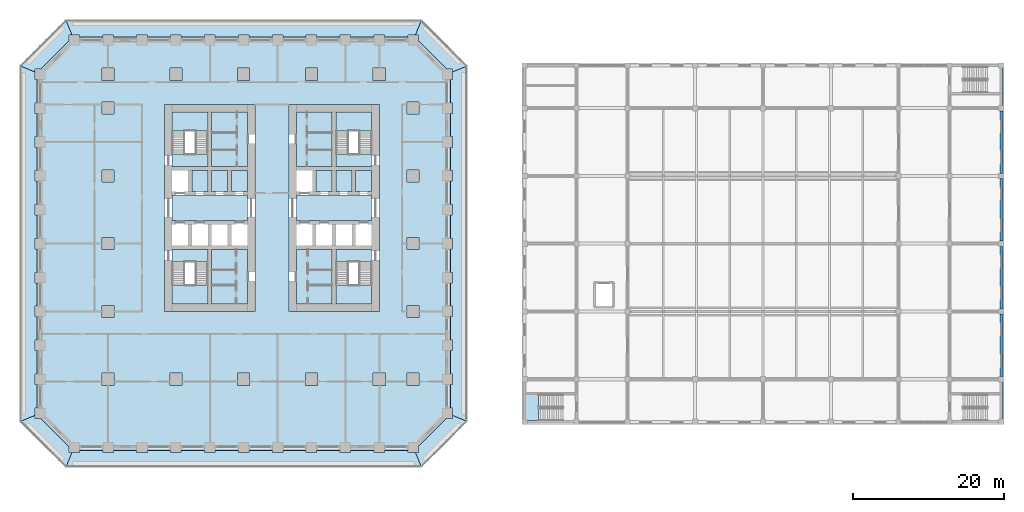
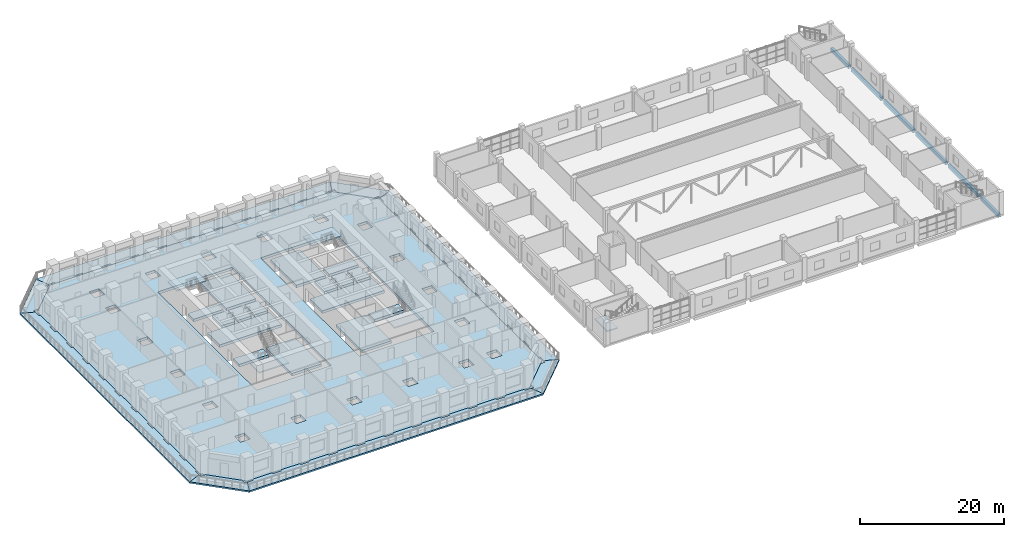
# One storey, part 23 of 42: 30 slabs, 6 beams, 5 elements without a shape of their own.
"""IFC4 building model written with IfcOpenShell, lengths in metres."""

from ifc_helpers import new_model, si_unit, direction, frame, origin, origin_2d, place, context, subcontext, project, spatial, polyline, rectangle, outline, extrude, material, layer, layer_set, material_profile, profile_set, type_object, element, aggregate, save


model = new_model("IFC4")

# Units and contexts
model_context = context("Model", 3, precision=1e-05, world=origin(), true_north=direction((0.0, 1.0)))
body_context = subcontext(model_context, "Body", "Model", "MODEL_VIEW")
ifc_project = project(units=[si_unit("LENGTHUNIT", "METRE"), si_unit("AREAUNIT", "SQUARE_METRE"), si_unit("VOLUMEUNIT", "CUBIC_METRE"), si_unit("PLANEANGLEUNIT", "RADIAN"), si_unit("MASSUNIT", "GRAM", prefix="KILO")], contexts=[model_context])

# Site, building, storey
site_placement = place(None, origin())
site = spatial("IfcSite", under=ifc_project, at=site_placement, CompositionType="ELEMENT")
building_placement = place(site_placement, origin())
building = spatial("IfcBuilding", under=site, at=building_placement, Name="Corbel Stack Research Tower", CompositionType="ELEMENT")
storey_placement = place(building_placement, frame((0.0, 0.0, 11.300048828125)))
storey = spatial("IfcBuildingStorey", under=building, at=storey_placement, Name="L02", CompositionType="ELEMENT", Elevation=11.300048828125)

# Beams
ifc_material_1 = material(Name="Concrete C40/50", Category="concrete")
ifc_material_profile = material_profile(ifc_material_1, rectangle(XDim=0.39990234375, YDim=0.60009765625, at=origin_2d()), Name="RC 400 x 600")
ifc_profile_set = profile_set([ifc_material_profile], Name="Concrete C40/50")
beam_type = type_object("IfcBeamType", Name="HB1 RC beam 400 x 600", PredefinedType="BEAM", material=ifc_profile_set)
beam_1_placement = place(storey_placement, frame((100.60009765625, -23.300048828125, -0.550048828125), z_axis=(0.0, 1.0, 0.0), x_axis=(-1.0, 0.0, 0.0)))
element("IfcBeam", 1, at=beam_1_placement, inside=storey, type_object=beam_type, Name="Floor beam L02 H9HA-H9HB", PredefinedType="BEAM", context=body_context, shape_type="SweptSolid", body=[
    extrude(rectangle(XDim=0.39990234375, YDim=0.60009765625, at=origin_2d()), origin(), (0.0, 0.0, 1.0), 4.949951171875),
])
for number, where, z_axis, x_axis, name in (
    (2, (100.60009765625, -17.64990234375, -0.550048828125), (0.0, 1.0, 0.0), (-1.0, 0.0, 0.0), "Floor beam L02 H9HB-H9HC"),
    (3, (100.60009765625, -8.64990234375, -0.550048828125), (0.0, 1.0, 0.0), (-1.0, 0.0, 0.0), "Floor beam L02 H9HC-H9HD"),
    (4, (100.60009765625, 0.35009765625, -0.550048828125), (0.0, 1.0, 0.0), (-1.0, 0.0, 0.0), "Floor beam L02 H9HD-H9HE"),
    (5, (100.60009765625, 9.35009765625, -0.550048828125), (0.0, 1.0, 0.0), (-1.0, 0.0, 0.0), "Floor beam L02 H9HE-H9HF"),
):
    element("IfcBeam", number, at=place(storey_placement, frame(where, z_axis=z_axis, x_axis=x_axis)), inside=storey, type_object=beam_type, Name=name, PredefinedType="BEAM", context=body_context, shape_type="SweptSolid", body=[
        extrude(rectangle(XDim=0.39990234375, YDim=0.60009765625, at=origin_2d()), origin(), (0.0, 0.0, 1.0), 8.2998046875),
    ])
beam_2_placement = place(storey_placement, frame((100.60009765625, 18.35009765625, -0.550048828125), z_axis=(0.0, 1.0, 0.0), x_axis=(-1.0, 0.0, 0.0)))
element("IfcBeam", 6, at=beam_2_placement, inside=storey, type_object=beam_type, Name="Floor beam L02 H9HF-H9HG", PredefinedType="BEAM", context=body_context, shape_type="SweptSolid", body=[
    extrude(rectangle(XDim=0.39990234375, YDim=0.60009765625, at=origin_2d()), origin(), (0.0, 0.0, 1.0), 4.949951171875),
])

# Stair, slab
ifc_material_2 = material(Name="Concrete C40/50", Category="concrete")
stair_type_1 = type_object("IfcStairType", Name="HST1 exit stair", PredefinedType="HALF_TURN_STAIR", material=ifc_material_2)
stair_1_placement = place(storey_placement, origin())
stair_1 = element("IfcStair", 7, at=stair_1_placement, inside=storey, type_object=stair_type_1, Name="L02 exit stair 1", PredefinedType="HALF_TURN_STAIR")
ifc_material_3 = material(Name="Concrete C40/50", Category="concrete")
ifc_layer_1 = layer(ifc_material_3, 0.199951171875)
ifc_layer_set_1 = layer_set([ifc_layer_1], Name="Concrete C40/50")
slab_type_1 = type_object("IfcSlabType", Name="HS4 stair landing 200", PredefinedType="LANDING", material=ifc_layer_set_1)
slab_1_placement = place(storey_placement, frame((0.0, 0.0, 1.849853515625)))
slab_1 = element("IfcSlab", 8, at=slab_1_placement, type_object=slab_type_1, Name="HS1 landing 1", PredefinedType="LANDING", context=body_context, shape_type="SweptSolid", body=[
    extrude(outline(polyline([(39.125, -20.050048828125), (37.449951171875, -20.050048828125), (37.449951171875, -23.5), (39.125, -23.5), (39.125, -20.050048828125)])), origin(), (0.0, 0.0, 1.0), 0.2001953125),
])
aggregate(stair_1, [slab_1])

# Slabs
ifc_material_4 = material(Name="Concrete C45/55", Category="concrete")
ifc_layer_2 = layer(ifc_material_4, 0.25)
ifc_layer_set_2 = layer_set([ifc_layer_2], Name="Concrete C45/55")
slab_type_2 = type_object("IfcSlabType", Name="PT balcony slab 250 C45/55", PredefinedType="FLOOR", material=ifc_layer_set_2)
slab_2_placement = place(storey_placement, frame((0.0, 0.0, -0.25)))
element("IfcSlab", 9, at=slab_2_placement, inside=storey, type_object=slab_type_2, Name="Loggia slab L02 S", PredefinedType="FLOOR", context=body_context, shape_type="SweptSolid", body=[
    extrude(outline(polyline([(22.789794921875, -27.699951171875), (21.800048828125, -27.699951171875), (21.800048828125, -27.449951171875), (18.699951171875, -27.449951171875), (18.699951171875, -27.699951171875), (17.300048828125, -27.699951171875), (17.300048828125, -27.449951171875), (14.199951171875, -27.449951171875), (14.199951171875, -27.699951171875), (12.800048828125, -27.699951171875), (12.800048828125, -27.449951171875), (9.699951171875, -27.449951171875), (9.699951171875, -27.699951171875), (8.300048828125, -27.699951171875), (8.300048828125, -27.449951171875), (5.199951171875, -27.449951171875), (5.199951171875, -27.699951171875), (3.800048828125, -27.699951171875), (3.800048828125, -27.449951171875), (0.699951171875, -27.449951171875), (0.699951171875, -27.699951171875), (-0.699951171875, -27.699951171875), (-0.699951171875, -27.449951171875), (-3.800048828125, -27.449951171875), (-3.800048828125, -27.699951171875), (-5.199951171875, -27.699951171875), (-5.199951171875, -27.449951171875), (-8.300048828125, -27.449951171875), (-8.300048828125, -27.699951171875), (-9.699951171875, -27.699951171875), (-9.699951171875, -27.449951171875), (-12.800048828125, -27.449951171875), (-12.800048828125, -27.699951171875), (-14.199951171875, -27.699951171875), (-14.199951171875, -27.449951171875), (-17.300048828125, -27.449951171875), (-17.300048828125, -27.699951171875), (-18.699951171875, -27.699951171875), (-18.699951171875, -27.449951171875), (-21.800048828125, -27.449951171875), (-21.800048828125, -27.699951171875), (-22.789794921875, -27.699951171875), (-23.618408203125, -29.699951171875), (23.618408203125, -29.699951171875), (22.789794921875, -27.699951171875)])), origin(), (0.0, 0.0, 1.0), 0.25),
])
slab_3_placement = place(storey_placement, frame((0.0, 0.0, -0.25)))
element("IfcSlab", 10, at=slab_3_placement, inside=storey, type_object=slab_type_2, Name="Loggia slab L02 SE", PredefinedType="FLOOR", context=body_context, shape_type="SweptSolid", body=[
    extrude(outline(polyline([(27.699951171875, -22.789794921875), (27.699951171875, -23.199951171875), (26.936279296875, -23.199951171875), (23.199951171875, -26.936279296875), (23.199951171875, -27.699951171875), (22.789794921875, -27.699951171875), (23.618408203125, -29.699951171875), (29.699951171875, -23.618408203125), (27.699951171875, -22.789794921875)])), origin(), (0.0, 0.0, 1.0), 0.25),
])
slab_4_placement = place(storey_placement, frame((0.0, 0.0, -0.25)))
element("IfcSlab", 11, at=slab_4_placement, inside=storey, type_object=slab_type_2, Name="Loggia slab L02 E", PredefinedType="FLOOR", context=body_context, shape_type="SweptSolid", body=[
    extrude(outline(polyline([(27.699951171875, 22.789794921875), (27.699951171875, 21.800048828125), (27.449951171875, 21.800048828125), (27.449951171875, 18.699951171875), (27.699951171875, 18.699951171875), (27.699951171875, 17.300048828125), (27.449951171875, 17.300048828125), (27.449951171875, 14.199951171875), (27.699951171875, 14.199951171875), (27.699951171875, 12.800048828125), (27.449951171875, 12.800048828125), (27.449951171875, 9.699951171875), (27.699951171875, 9.699951171875), (27.699951171875, 8.300048828125), (27.449951171875, 8.300048828125), (27.449951171875, 5.199951171875), (27.699951171875, 5.199951171875), (27.699951171875, 3.800048828125), (27.449951171875, 3.800048828125), (27.449951171875, 0.699951171875), (27.699951171875, 0.699951171875), (27.699951171875, -0.699951171875), (27.449951171875, -0.699951171875), (27.449951171875, -3.800048828125), (27.699951171875, -3.800048828125), (27.699951171875, -5.199951171875), (27.449951171875, -5.199951171875), (27.449951171875, -8.300048828125), (27.699951171875, -8.300048828125), (27.699951171875, -9.699951171875), (27.449951171875, -9.699951171875), (27.449951171875, -12.800048828125), (27.699951171875, -12.800048828125), (27.699951171875, -14.199951171875), (27.449951171875, -14.199951171875), (27.449951171875, -17.300048828125), (27.699951171875, -17.300048828125), (27.699951171875, -18.699951171875), (27.449951171875, -18.699951171875), (27.449951171875, -21.800048828125), (27.699951171875, -21.800048828125), (27.699951171875, -22.789794921875), (29.699951171875, -23.618408203125), (29.699951171875, 23.618408203125), (27.699951171875, 22.789794921875)])), origin(), (0.0, 0.0, 1.0), 0.25),
])
slab_5_placement = place(storey_placement, frame((0.0, 0.0, -0.25)))
element("IfcSlab", 12, at=slab_5_placement, inside=storey, type_object=slab_type_2, Name="Loggia slab L02 NE", PredefinedType="FLOOR", context=body_context, shape_type="SweptSolid", body=[
    extrude(outline(polyline([(22.789794921875, 27.699951171875), (23.199951171875, 27.699951171875), (23.199951171875, 26.936279296875), (26.936279296875, 23.199951171875), (27.699951171875, 23.199951171875), (27.699951171875, 22.789794921875), (29.699951171875, 23.618408203125), (23.618408203125, 29.699951171875), (22.789794921875, 27.699951171875)])), origin(), (0.0, 0.0, 1.0), 0.25),
])
slab_6_placement = place(storey_placement, frame((0.0, 0.0, -0.25)))
element("IfcSlab", 13, at=slab_6_placement, inside=storey, type_object=slab_type_2, Name="Loggia slab L02 N", PredefinedType="FLOOR", context=body_context, shape_type="SweptSolid", body=[
    extrude(outline(polyline([(-22.789794921875, 27.699951171875), (-21.800048828125, 27.699951171875), (-21.800048828125, 27.449951171875), (-18.699951171875, 27.449951171875), (-18.699951171875, 27.699951171875), (-17.300048828125, 27.699951171875), (-17.300048828125, 27.449951171875), (-14.199951171875, 27.449951171875), (-14.199951171875, 27.699951171875), (-12.800048828125, 27.699951171875), (-12.800048828125, 27.449951171875), (-9.699951171875, 27.449951171875), (-9.699951171875, 27.699951171875), (-8.300048828125, 27.699951171875), (-8.300048828125, 27.449951171875), (-5.199951171875, 27.449951171875), (-5.199951171875, 27.699951171875), (-3.800048828125, 27.699951171875), (-3.800048828125, 27.449951171875), (-0.699951171875, 27.449951171875), (-0.699951171875, 27.699951171875), (0.699951171875, 27.699951171875), (0.699951171875, 27.449951171875), (3.800048828125, 27.449951171875), (3.800048828125, 27.699951171875), (5.199951171875, 27.699951171875), (5.199951171875, 27.449951171875), (8.300048828125, 27.449951171875), (8.300048828125, 27.699951171875), (9.699951171875, 27.699951171875), (9.699951171875, 27.449951171875), (12.800048828125, 27.449951171875), (12.800048828125, 27.699951171875), (14.199951171875, 27.699951171875), (14.199951171875, 27.449951171875), (17.300048828125, 27.449951171875), (17.300048828125, 27.699951171875), (18.699951171875, 27.699951171875), (18.699951171875, 27.449951171875), (21.800048828125, 27.449951171875), (21.800048828125, 27.699951171875), (22.789794921875, 27.699951171875), (23.618408203125, 29.699951171875), (-23.618408203125, 29.699951171875), (-22.789794921875, 27.699951171875)])), origin(), (0.0, 0.0, 1.0), 0.25),
])
slab_7_placement = place(storey_placement, frame((0.0, 0.0, -0.25)))
element("IfcSlab", 14, at=slab_7_placement, inside=storey, type_object=slab_type_2, Name="Loggia slab L02 NW", PredefinedType="FLOOR", context=body_context, shape_type="SweptSolid", body=[
    extrude(outline(polyline([(-27.699951171875, 22.789794921875), (-27.699951171875, 23.199951171875), (-26.936279296875, 23.199951171875), (-23.199951171875, 26.936279296875), (-23.199951171875, 27.699951171875), (-22.789794921875, 27.699951171875), (-23.618408203125, 29.699951171875), (-29.699951171875, 23.618408203125), (-27.699951171875, 22.789794921875)])), origin(), (0.0, 0.0, 1.0), 0.25),
])
slab_8_placement = place(storey_placement, frame((0.0, 0.0, -0.25)))
element("IfcSlab", 15, at=slab_8_placement, inside=storey, type_object=slab_type_2, Name="Loggia slab L02 W", PredefinedType="FLOOR", context=body_context, shape_type="SweptSolid", body=[
    extrude(outline(polyline([(-27.699951171875, -22.789794921875), (-27.699951171875, -21.800048828125), (-27.449951171875, -21.800048828125), (-27.449951171875, -18.699951171875), (-27.699951171875, -18.699951171875), (-27.699951171875, -17.300048828125), (-27.449951171875, -17.300048828125), (-27.449951171875, -14.199951171875), (-27.699951171875, -14.199951171875), (-27.699951171875, -12.800048828125), (-27.449951171875, -12.800048828125), (-27.449951171875, -9.699951171875), (-27.699951171875, -9.699951171875), (-27.699951171875, -8.300048828125), (-27.449951171875, -8.300048828125), (-27.449951171875, -5.199951171875), (-27.699951171875, -5.199951171875), (-27.699951171875, -3.800048828125), (-27.449951171875, -3.800048828125), (-27.449951171875, -0.699951171875), (-27.699951171875, -0.699951171875), (-27.699951171875, 0.699951171875), (-27.449951171875, 0.699951171875), (-27.449951171875, 3.800048828125), (-27.699951171875, 3.800048828125), (-27.699951171875, 5.199951171875), (-27.449951171875, 5.199951171875), (-27.449951171875, 8.300048828125), (-27.699951171875, 8.300048828125), (-27.699951171875, 9.699951171875), (-27.449951171875, 9.699951171875), (-27.449951171875, 12.800048828125), (-27.699951171875, 12.800048828125), (-27.699951171875, 14.199951171875), (-27.449951171875, 14.199951171875), (-27.449951171875, 17.300048828125), (-27.699951171875, 17.300048828125), (-27.699951171875, 18.699951171875), (-27.449951171875, 18.699951171875), (-27.449951171875, 21.800048828125), (-27.699951171875, 21.800048828125), (-27.699951171875, 22.789794921875), (-29.699951171875, 23.618408203125), (-29.699951171875, -23.618408203125), (-27.699951171875, -22.789794921875)])), origin(), (0.0, 0.0, 1.0), 0.25),
])
slab_9_placement = place(storey_placement, frame((0.0, 0.0, -0.25)))
element("IfcSlab", 16, at=slab_9_placement, inside=storey, type_object=slab_type_2, Name="Loggia slab L02 SW", PredefinedType="FLOOR", context=body_context, shape_type="SweptSolid", body=[
    extrude(outline(polyline([(-22.789794921875, -27.699951171875), (-23.199951171875, -27.699951171875), (-23.199951171875, -26.936279296875), (-26.936279296875, -23.199951171875), (-27.699951171875, -23.199951171875), (-27.699951171875, -22.789794921875), (-29.699951171875, -23.618408203125), (-23.618408203125, -29.699951171875), (-22.789794921875, -27.699951171875)])), origin(), (0.0, 0.0, 1.0), 0.25),
])
ifc_material_5 = material(Name="Concrete C45/55", Category="concrete")
ifc_layer_3 = layer(ifc_material_5, 0.449951171875)
ifc_layer_set_3 = layer_set([ifc_layer_3], Name="Concrete C45/55")
slab_type_3 = type_object("IfcSlabType", Name="PT-450", PredefinedType="FLOOR", material=ifc_layer_set_3)
slab_10_placement = place(storey_placement, frame((0.0, 0.0, -0.449951171875)))
element("IfcSlab", 17, at=slab_10_placement, inside=storey, type_object=slab_type_3, Name="Floor slab L02", PredefinedType="FLOOR", context=body_context, shape_type="SweptSolid", body=[
    extrude(outline(polyline([(-22.686279296875, -27.449951171875), (22.686279296875, -27.449951171875), (27.449951171875, -22.686279296875), (27.449951171875, 22.686279296875), (22.686279296875, 27.449951171875), (-22.686279296875, 27.449951171875), (-27.449951171875, 22.686279296875), (-27.449951171875, -22.686279296875), (-22.686279296875, -27.449951171875)]), holes=[polyline([(23.300048828125, 17.199951171875), (21.699951171875, 17.199951171875), (21.699951171875, 18.800048828125), (23.300048828125, 18.800048828125), (23.300048828125, 17.199951171875)]), polyline([(21.699951171875, 8.199951171875), (21.699951171875, 9.800048828125), (23.300048828125, 9.800048828125), (23.300048828125, 8.199951171875), (21.699951171875, 8.199951171875)]), polyline([(23.300048828125, -0.800048828125), (21.699951171875, -0.800048828125), (21.699951171875, 0.800048828125), (23.300048828125, 0.800048828125), (23.300048828125, -0.800048828125)]), polyline([(21.699951171875, -9.800048828125), (21.699951171875, -8.199951171875), (23.300048828125, -8.199951171875), (23.300048828125, -9.800048828125), (21.699951171875, -9.800048828125)]), polyline([(21.699951171875, -18.800048828125), (21.699951171875, -17.199951171875), (23.300048828125, -17.199951171875), (23.300048828125, -18.800048828125), (21.699951171875, -18.800048828125)]), polyline([(17.199951171875, 21.699951171875), (17.199951171875, 23.300048828125), (18.800048828125, 23.300048828125), (18.800048828125, 21.699951171875), (17.199951171875, 21.699951171875)]), polyline([(18.800048828125, -18.800048828125), (17.199951171875, -18.800048828125), (17.199951171875, -17.199951171875), (18.800048828125, -17.199951171875), (18.800048828125, -18.800048828125)]), polyline([(6.0, -9.0), (6.0, 18.5), (18.0, 18.5), (18.0, -9.0), (6.0, -9.0)]), polyline([(8.199951171875, 21.699951171875), (8.199951171875, 23.300048828125), (9.800048828125, 23.300048828125), (9.800048828125, 21.699951171875), (8.199951171875, 21.699951171875)]), polyline([(9.800048828125, -18.800048828125), (8.199951171875, -18.800048828125), (8.199951171875, -17.199951171875), (9.800048828125, -17.199951171875), (9.800048828125, -18.800048828125)]), polyline([(1.5, -9.0), (-10.5, -9.0), (-10.5, 18.5), (1.5, 18.5), (1.5, -9.0)]), polyline([(0.800048828125, 21.699951171875), (-0.800048828125, 21.699951171875), (-0.800048828125, 23.300048828125), (0.800048828125, 23.300048828125), (0.800048828125, 21.699951171875)]), polyline([(0.800048828125, -18.800048828125), (-0.800048828125, -18.800048828125), (-0.800048828125, -17.199951171875), (0.800048828125, -17.199951171875), (0.800048828125, -18.800048828125)]), polyline([(-9.800048828125, 21.699951171875), (-9.800048828125, 23.300048828125), (-8.199951171875, 23.300048828125), (-8.199951171875, 21.699951171875), (-9.800048828125, 21.699951171875)]), polyline([(-8.199951171875, -18.800048828125), (-9.800048828125, -18.800048828125), (-9.800048828125, -17.199951171875), (-8.199951171875, -17.199951171875), (-8.199951171875, -18.800048828125)]), polyline([(-18.800048828125, 21.699951171875), (-18.800048828125, 23.300048828125), (-17.199951171875, 23.300048828125), (-17.199951171875, 21.699951171875), (-18.800048828125, 21.699951171875)]), polyline([(-17.199951171875, 17.199951171875), (-18.800048828125, 17.199951171875), (-18.800048828125, 18.800048828125), (-17.199951171875, 18.800048828125), (-17.199951171875, 17.199951171875)]), polyline([(-17.199951171875, 8.199951171875), (-18.800048828125, 8.199951171875), (-18.800048828125, 9.800048828125), (-17.199951171875, 9.800048828125), (-17.199951171875, 8.199951171875)]), polyline([(-18.800048828125, -0.800048828125), (-18.800048828125, 0.800048828125), (-17.199951171875, 0.800048828125), (-17.199951171875, -0.800048828125), (-18.800048828125, -0.800048828125)]), polyline([(-18.800048828125, -9.800048828125), (-18.800048828125, -8.199951171875), (-17.199951171875, -8.199951171875), (-17.199951171875, -9.800048828125), (-18.800048828125, -9.800048828125)]), polyline([(-17.199951171875, -18.800048828125), (-18.800048828125, -18.800048828125), (-18.800048828125, -17.199951171875), (-17.199951171875, -17.199951171875), (-17.199951171875, -18.800048828125)])]), origin(), (0.0, 0.0, 1.0), 0.449951171875),
])
slab_11_placement = place(storey_placement, frame((0.0, 0.0, -0.449951171875)))
element("IfcSlab", 18, at=slab_11_placement, inside=storey, type_object=slab_type_3, Name="West core floor L02", PredefinedType="FLOOR", context=body_context, shape_type="SweptSolid", body=[
    extrude(outline(polyline([(-9.5, 6.449951171875), (-9.5, 3.050048828125), (0.5, 3.050048828125), (0.5, 6.449951171875), (-9.5, 6.449951171875)])), origin(), (0.0, 0.0, 1.0), 0.449951171875),
])
slab_12_placement = place(storey_placement, frame((0.0, 0.0, -0.449951171875)))
element("IfcSlab", 19, at=slab_12_placement, inside=storey, type_object=slab_type_3, Name="West core floor L02", PredefinedType="FLOOR", context=body_context, shape_type="SweptSolid", body=[
    extrude(outline(polyline([(-6.875, 6.949951171875), (-4.75, 6.949951171875), (-4.75, 9.75), (-6.875, 9.75), (-6.875, 6.949951171875)])), origin(), (0.0, 0.0, 1.0), 0.449951171875),
])
slab_13_placement = place(storey_placement, frame((0.0, 0.0, -0.449951171875)))
element("IfcSlab", 20, at=slab_13_placement, inside=storey, type_object=slab_type_3, Name="West core floor L02", PredefinedType="FLOOR", context=body_context, shape_type="SweptSolid", body=[
    extrude(outline(polyline([(-4.25, -0.75), (-4.25, -8.0), (0.5, -8.0), (0.5, -0.75), (-4.25, -0.75)])), origin(), (0.0, 0.0, 1.0), 0.449951171875),
])
slab_14_placement = place(storey_placement, frame((0.0, 0.0, -0.449951171875)))
element("IfcSlab", 21, at=slab_14_placement, inside=storey, type_object=slab_type_3, Name="West core floor L02", PredefinedType="FLOOR", context=body_context, shape_type="SweptSolid", body=[
    extrude(outline(polyline([(-2.125, 6.949951171875), (-2.125, 9.75), (-4.25, 9.75), (-4.25, 6.949951171875), (-2.125, 6.949951171875)])), origin(), (0.0, 0.0, 1.0), 0.449951171875),
])
slab_15_placement = place(storey_placement, frame((0.0, 0.0, -0.449951171875)))
element("IfcSlab", 22, at=slab_15_placement, inside=storey, type_object=slab_type_3, Name="West core floor L02", PredefinedType="FLOOR", context=body_context, shape_type="SweptSolid", body=[
    extrude(outline(polyline([(-4.25, 17.5), (-4.25, 10.25), (0.5, 10.25), (0.5, 17.5), (-4.25, 17.5)])), origin(), (0.0, 0.0, 1.0), 0.449951171875),
])
slab_16_placement = place(storey_placement, frame((0.0, 0.0, -0.449951171875)))
element("IfcSlab", 23, at=slab_16_placement, inside=storey, type_object=slab_type_3, Name="West core floor L02", PredefinedType="FLOOR", context=body_context, shape_type="SweptSolid", body=[
    extrude(outline(polyline([(0.5, 6.949951171875), (0.5, 9.75), (-1.625, 9.75), (-1.625, 6.949951171875), (0.5, 6.949951171875)])), origin(), (0.0, 0.0, 1.0), 0.449951171875),
])
slab_17_placement = place(storey_placement, frame((0.0, 0.0, -0.449951171875)))
element("IfcSlab", 24, at=slab_17_placement, inside=storey, type_object=slab_type_3, Name="East core floor L02", PredefinedType="FLOOR", context=body_context, shape_type="SweptSolid", body=[
    extrude(outline(polyline([(7.0, -0.75), (7.0, -8.0), (11.75, -8.0), (11.75, -0.75), (7.0, -0.75)])), origin(), (0.0, 0.0, 1.0), 0.449951171875),
])
slab_18_placement = place(storey_placement, frame((0.0, 0.0, -0.449951171875)))
element("IfcSlab", 25, at=slab_18_placement, inside=storey, type_object=slab_type_3, Name="East core floor L02", PredefinedType="FLOOR", context=body_context, shape_type="SweptSolid", body=[
    extrude(outline(polyline([(7.0, 6.449951171875), (7.0, 3.050048828125), (17.0, 3.050048828125), (17.0, 6.449951171875), (7.0, 6.449951171875)])), origin(), (0.0, 0.0, 1.0), 0.449951171875),
])
slab_19_placement = place(storey_placement, frame((0.0, 0.0, -0.449951171875)))
element("IfcSlab", 26, at=slab_19_placement, inside=storey, type_object=slab_type_3, Name="East core floor L02", PredefinedType="FLOOR", context=body_context, shape_type="SweptSolid", body=[
    extrude(outline(polyline([(7.0, 17.5), (7.0, 10.25), (11.75, 10.25), (11.75, 17.5), (7.0, 17.5)])), origin(), (0.0, 0.0, 1.0), 0.449951171875),
])
slab_20_placement = place(storey_placement, frame((0.0, 0.0, -0.449951171875)))
element("IfcSlab", 27, at=slab_20_placement, inside=storey, type_object=slab_type_3, Name="East core floor L02", PredefinedType="FLOOR", context=body_context, shape_type="SweptSolid", body=[
    extrude(outline(polyline([(9.625, 6.949951171875), (11.75, 6.949951171875), (11.75, 9.75), (9.625, 9.75), (9.625, 6.949951171875)])), origin(), (0.0, 0.0, 1.0), 0.449951171875),
])
slab_21_placement = place(storey_placement, frame((0.0, 0.0, -0.449951171875)))
element("IfcSlab", 28, at=slab_21_placement, inside=storey, type_object=slab_type_3, Name="East core floor L02", PredefinedType="FLOOR", context=body_context, shape_type="SweptSolid", body=[
    extrude(outline(polyline([(14.375, 6.949951171875), (14.375, 9.75), (12.25, 9.75), (12.25, 6.949951171875), (14.375, 6.949951171875)])), origin(), (0.0, 0.0, 1.0), 0.449951171875),
])
slab_22_placement = place(storey_placement, frame((0.0, 0.0, -0.449951171875)))
element("IfcSlab", 29, at=slab_22_placement, inside=storey, type_object=slab_type_3, Name="East core floor L02", PredefinedType="FLOOR", context=body_context, shape_type="SweptSolid", body=[
    extrude(outline(polyline([(17.0, 6.949951171875), (17.0, 9.75), (14.875, 9.75), (14.875, 6.949951171875), (17.0, 6.949951171875)])), origin(), (0.0, 0.0, 1.0), 0.449951171875),
])
slab_23_placement = place(storey_placement, frame((0.0, 0.0, -0.449951171875)))
element("IfcSlab", 30, at=slab_23_placement, inside=storey, type_object=slab_type_3, Name="Stair floor landing ST-W1", PredefinedType="FLOOR", context=body_context, shape_type="SweptSolid", body=[
    extrude(outline(polyline([(-9.5, -2.39990234375), (-4.75, -2.39990234375), (-4.75, -0.75), (-9.5, -0.75), (-9.5, -2.39990234375)])), origin(), (0.0, 0.0, 1.0), 0.449951171875),
])
slab_24_placement = place(storey_placement, frame((0.0, 0.0, -0.449951171875)))
element("IfcSlab", 31, at=slab_24_placement, inside=storey, type_object=slab_type_3, Name="Stair floor landing ST-W2", PredefinedType="FLOOR", context=body_context, shape_type="SweptSolid", body=[
    extrude(outline(polyline([(-9.5, 10.25), (-4.75, 10.25), (-4.75, 11.89990234375), (-9.5, 11.89990234375), (-9.5, 10.25)])), origin(), (0.0, 0.0, 1.0), 0.449951171875),
])
slab_25_placement = place(storey_placement, frame((0.0, 0.0, -0.449951171875)))
element("IfcSlab", 32, at=slab_25_placement, inside=storey, type_object=slab_type_3, Name="Stair floor landing ST-E1", PredefinedType="FLOOR", context=body_context, shape_type="SweptSolid", body=[
    extrude(outline(polyline([(12.25, -2.39990234375), (17.0, -2.39990234375), (17.0, -0.75), (12.25, -0.75), (12.25, -2.39990234375)])), origin(), (0.0, 0.0, 1.0), 0.449951171875),
])
slab_26_placement = place(storey_placement, frame((0.0, 0.0, -0.449951171875)))
element("IfcSlab", 33, at=slab_26_placement, inside=storey, type_object=slab_type_3, Name="Stair floor landing ST-E2", PredefinedType="FLOOR", context=body_context, shape_type="SweptSolid", body=[
    extrude(outline(polyline([(12.25, 10.25), (17.0, 10.25), (17.0, 11.89990234375), (12.25, 11.89990234375), (12.25, 10.25)])), origin(), (0.0, 0.0, 1.0), 0.449951171875),
])

# Stair, slab
ifc_material_6 = material(Name="Concrete C40/50", Category="concrete")
stair_type_2 = type_object("IfcStairType", Name="Exit stair 24 risers", PredefinedType="HALF_TURN_STAIR", material=ifc_material_6)
stair_2_placement = place(storey_placement, origin())
stair_2 = element("IfcStair", 34, at=stair_2_placement, inside=storey, type_object=stair_type_2, Name="L02 Exit stair ST-W1", PredefinedType="HALF_TURN_STAIR")
ifc_material_7 = material(Name="Concrete C40/50", Category="concrete")
ifc_layer_4 = layer(ifc_material_7, 0.199951171875)
ifc_layer_set_4 = layer_set([ifc_layer_4], Name="Concrete C40/50")
slab_type_4 = type_object("IfcSlabType", Name="Stair landing 200 C40/50", PredefinedType="LANDING", material=ifc_layer_set_4)
slab_27_placement = place(storey_placement, frame((0.0, 0.0, 1.849853515625)))
slab_27 = element("IfcSlab", 35, at=slab_27_placement, type_object=slab_type_4, Name="ST-W1 landing 1", PredefinedType="LANDING", context=body_context, shape_type="SweptSolid", body=[
    extrude(outline(polyline([(-9.5, -8.0), (-9.5, -5.47998046875), (-4.75, -5.47998046875), (-4.75, -8.0), (-9.5, -8.0)])), origin(), (0.0, 0.0, 1.0), 0.2001953125),
])
aggregate(stair_2, [slab_27])

stair_3_placement = place(storey_placement, origin())
stair_3 = element("IfcStair", 36, at=stair_3_placement, inside=storey, type_object=stair_type_2, Name="L02 Exit stair ST-W2", PredefinedType="HALF_TURN_STAIR")
slab_28_placement = place(storey_placement, frame((0.0, 0.0, 1.849853515625)))
slab_28 = element("IfcSlab", 37, at=slab_28_placement, type_object=slab_type_4, Name="ST-W2 landing 1", PredefinedType="LANDING", context=body_context, shape_type="SweptSolid", body=[
    extrude(outline(polyline([(-9.5, 14.97998046875), (-9.5, 17.5), (-4.75, 17.5), (-4.75, 14.97998046875), (-9.5, 14.97998046875)])), origin(), (0.0, 0.0, 1.0), 0.2001953125),
])
aggregate(stair_3, [slab_28])

stair_4_placement = place(storey_placement, origin())
stair_4 = element("IfcStair", 38, at=stair_4_placement, inside=storey, type_object=stair_type_2, Name="L02 Exit stair ST-E1", PredefinedType="HALF_TURN_STAIR")
slab_29_placement = place(storey_placement, frame((0.0, 0.0, 1.849853515625)))
slab_29 = element("IfcSlab", 39, at=slab_29_placement, type_object=slab_type_4, Name="ST-E1 landing 1", PredefinedType="LANDING", context=body_context, shape_type="SweptSolid", body=[
    extrude(outline(polyline([(12.25, -8.0), (12.25, -5.47998046875), (17.0, -5.47998046875), (17.0, -8.0), (12.25, -8.0)])), origin(), (0.0, 0.0, 1.0), 0.2001953125),
])
aggregate(stair_4, [slab_29])

stair_5_placement = place(storey_placement, origin())
stair_5 = element("IfcStair", 40, at=stair_5_placement, inside=storey, type_object=stair_type_2, Name="L02 Exit stair ST-E2", PredefinedType="HALF_TURN_STAIR")
slab_30_placement = place(storey_placement, frame((0.0, 0.0, 1.849853515625)))
slab_30 = element("IfcSlab", 41, at=slab_30_placement, type_object=slab_type_4, Name="ST-E2 landing 1", PredefinedType="LANDING", context=body_context, shape_type="SweptSolid", body=[
    extrude(outline(polyline([(12.25, 14.97998046875), (12.25, 17.5), (17.0, 17.5), (17.0, 14.97998046875), (12.25, 14.97998046875)])), origin(), (0.0, 0.0, 1.0), 0.2001953125),
])
aggregate(stair_5, [slab_30])

save(model, "model.ifc")
